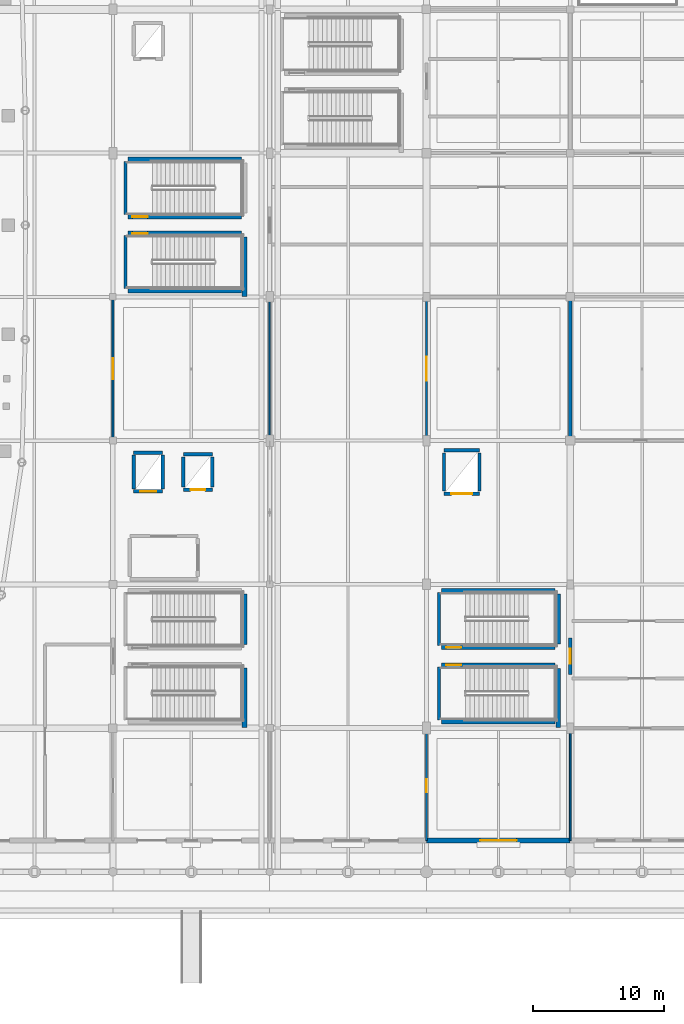
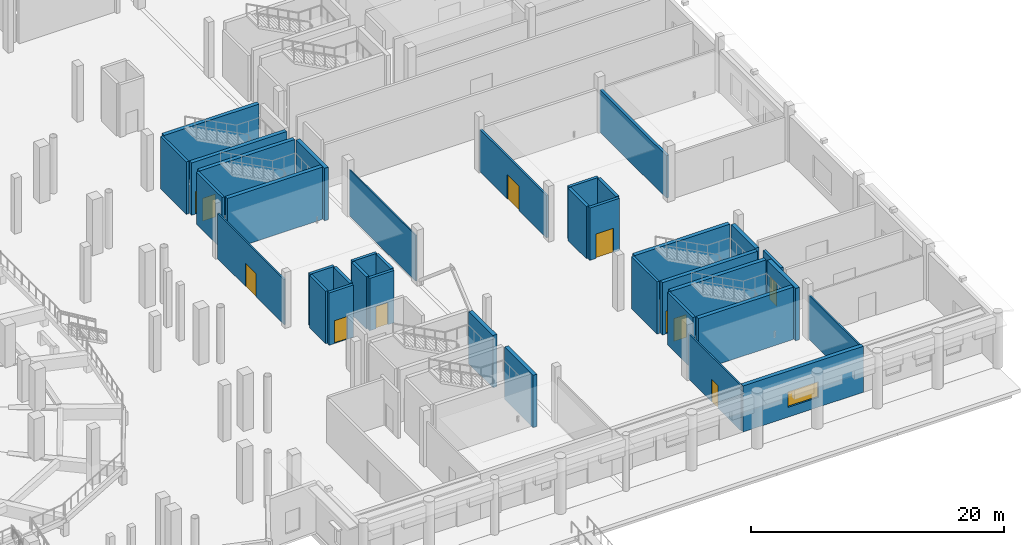
# One storey, part 64 of 120: 37 walls, 11 doors, 1 window, 12 openings.
"""IFC4 building model written with IfcOpenShell, lengths in metres."""

from ifc_helpers import new_model, si_unit, direction, frame, frame_2d, origin, place, context, subcontext, project, spatial, rectangle, extrude, material, layer, layer_set, type_object, element, fill, save


model = new_model("IFC4")

# Units and contexts
model_context = context("Model", 3, precision=1e-05, world=origin(), true_north=direction((0.0, 1.0)))
body_context = subcontext(model_context, "Body", "Model", "MODEL_VIEW")
ifc_project = project(units=[si_unit("LENGTHUNIT", "METRE"), si_unit("AREAUNIT", "SQUARE_METRE"), si_unit("VOLUMEUNIT", "CUBIC_METRE"), si_unit("PLANEANGLEUNIT", "RADIAN"), si_unit("MASSUNIT", "GRAM", prefix="KILO")], contexts=[model_context])

# Site, building, storey
site_placement = place(None, origin())
site = spatial("IfcSite", under=ifc_project, at=site_placement, CompositionType="ELEMENT")
building_placement = place(site_placement, origin())
building = spatial("IfcBuilding", under=site, at=building_placement, Name="Luwafu Chhajja Arena", CompositionType="ELEMENT")
storey_placement = place(building_placement, origin())
storey = spatial("IfcBuildingStorey", under=building, at=storey_placement, Name="L00", CompositionType="ELEMENT", Elevation=0.0)

# Wall
ifc_material_1 = material(Name="Concrete blockwork masonry", Category="masonry")
ifc_layer_1 = layer(ifc_material_1, 0.239990234375, Name="Concrete blockwork masonry")
ifc_layer_set_1 = layer_set([ifc_layer_1], Name="Concrete blockwork masonry")
wall_type_1 = type_object("IfcWallType", Name="Compartment Masonry Partition 240", PredefinedType="PARTITIONING", material=ifc_layer_set_1)
wall_1_placement = place(storey_placement, frame((187.0, 33.219970703125, 0.0), z_axis=(0.0, 0.0, 1.0), x_axis=(0.0, 1.0, 0.0)))
element("IfcWall", 1, at=wall_1_placement, inside=storey, type_object=wall_type_1, Name="L00 Internal Partition 0209", PredefinedType="PARTITIONING", context=body_context, shape_type="SweptSolid", body=[
    extrude(rectangle(XDim=10.56005859375, YDim=0.239990234375, at=frame_2d((5.280029296875, 0.0))), origin(), (0.0, 0.0, 1.0), 4.10009765625),
])

# Wall, opening, door
wall_2_placement = place(storey_placement, frame((187.0, 15.10009765625, 0.0), z_axis=(0.0, 0.0, 1.0), x_axis=(0.0, 1.0, 0.0)))
wall_2 = element("IfcWall", 2, at=wall_2_placement, inside=storey, type_object=wall_type_1, Name="L00 Protected Exit Corridor Mouth Wall WXP-M-C8", PredefinedType="PARTITIONING", context=body_context, shape_type="SweptSolid", body=[
    extrude(rectangle(XDim=2.7998046875, YDim=0.239990234375, at=frame_2d((1.39990234375, 0.0))), origin(), (0.0, 0.0, 1.0), 4.25),
])
opening_1_placement = place(wall_2_placement, frame((0.824951171875, 0.0, 0.0)))
opening_1 = element("IfcOpeningElement", 3, at=opening_1_placement, cuts=wall_2, Name="Opening DR-06", PredefinedType="OPENING", context=body_context, shape_type="SweptSolid", body=[
    extrude(rectangle(XDim=1.14990234375, YDim=2.199951171875, at=frame_2d((0.574951171875, 1.10009765625))), frame((0.0, 0.1298828125, 0.0), z_axis=(0.0, -1.0, 0.0), x_axis=(1.0, 0.0, 0.0)), (0.0, 0.0, 1.0), 0.260009765625),
])
ifc_material_2 = material(Name="Fire-rated hardwood and steel core", Category="steel")
door_type_1 = type_object("IfcDoorType", Name="DR-06", OperationType="NOTDEFINED", PredefinedType="DOOR", material=ifc_material_2)
door_1_placement = place(opening_1_placement, origin())
door_1 = element("IfcDoor", 4, at=door_1_placement, inside=storey, type_object=door_type_1, Name="L00 Protected Exit Corridor Fire Door L00-D079", OperationType="SINGLE_SWING_LEFT", OverallHeight=2.199951171875, OverallWidth=1.14990234375, PredefinedType="DOOR", context=body_context, shape_type="SweptSolid", body=[
    extrude(rectangle(XDim=1.14990234375, YDim=2.199951171875, at=frame_2d((0.574951171875, 1.10009765625))), frame((0.0, 0.02490234375, 0.0), z_axis=(0.0, -1.0, 0.0), x_axis=(1.0, 0.0, 0.0)), (0.0, 0.0, 1.0), 0.050048828125),
])
fill(opening_1, door_1)

ifc_material_3 = material(Name="Lightweight blockwork partition", Category="masonry")
ifc_layer_2 = layer(ifc_material_3, 0.139892578125, Name="Lightweight blockwork partition")
ifc_layer_set_2 = layer_set([ifc_layer_2], Name="Lightweight blockwork partition")
wall_type_2 = type_object("IfcWallType", Name="Concourse Kiosk Partition 140", PredefinedType="PARTITIONING", material=ifc_layer_set_2)
wall_3_placement = place(storey_placement, frame((152.0, 33.219970703125, 0.0), z_axis=(0.0, 0.0, 1.0), x_axis=(0.0, 1.0, 0.0)))
wall_3 = element("IfcWall", 5, at=wall_3_placement, inside=storey, type_object=wall_type_2, Name="L00 Internal Partition 0173", PredefinedType="PARTITIONING", context=body_context, shape_type="SweptSolid", body=[
    extrude(rectangle(XDim=10.570068359375, YDim=0.139892578125, at=frame_2d((5.28515625, 0.0))), origin(), (0.0, 0.0, 1.0), 4.366455078125),
])
opening_2_placement = place(wall_3_placement, frame((4.47509765625, 0.0, 0.0)))
opening_2 = element("IfcOpeningElement", 6, at=opening_2_placement, cuts=wall_3, Name="Opening DR-23", PredefinedType="OPENING", context=body_context, shape_type="SweptSolid", body=[
    extrude(rectangle(XDim=1.6201171875, YDim=2.25, at=frame_2d((0.81005859375, 1.125))), frame((0.0, 0.079833984375, 0.0), z_axis=(0.0, -1.0, 0.0), x_axis=(1.0, 0.0, 0.0)), (0.0, 0.0, 1.0), 0.159912109375),
])
ifc_material_4 = material(Name="Hardwood flush glazed double door", Category="wood")
door_type_2 = type_object("IfcDoorType", Name="DR-23", OperationType="DOUBLE_DOOR_SINGLE_SWING", PredefinedType="DOOR", material=ifc_material_4)
door_2_placement = place(opening_2_placement, origin())
door_2 = element("IfcDoor", 7, at=door_2_placement, inside=storey, type_object=door_type_2, Name="L00 Interior Door L00-D048", OperationType="DOUBLE_DOOR_SINGLE_SWING", OverallHeight=2.25, OverallWidth=1.6201171875, PredefinedType="DOOR", context=body_context, shape_type="SweptSolid", body=[
    extrude(rectangle(XDim=1.6201171875, YDim=2.25, at=frame_2d((0.81005859375, 1.125))), frame((0.0, 0.02490234375, 0.0), z_axis=(0.0, -1.0, 0.0), x_axis=(1.0, 0.0, 0.0)), (0.0, 0.0, 1.0), 0.050048828125),
])
fill(opening_2, door_2)

wall_4_placement = place(storey_placement, frame((176.0, 2.39990234375, 0.0), z_axis=(0.0, 0.0, 1.0), x_axis=(0.0, 1.0, 0.0)))
wall_4 = element("IfcWall", 8, at=wall_4_placement, inside=storey, type_object=wall_type_2, Name="L00 Internal Partition 0181", PredefinedType="PARTITIONING", context=body_context, shape_type="SweptSolid", body=[
    extrude(rectangle(XDim=8.380126953125, YDim=0.139892578125, at=frame_2d((4.18994140625, 0.0))), origin(), (0.0, 0.0, 1.0), 4.366455078125),
])
opening_3_placement = place(wall_4_placement, frame((3.7099609375, 0.0, 0.0)))
opening_3 = element("IfcOpeningElement", 9, at=opening_3_placement, cuts=wall_4, Name="Opening DR-22", PredefinedType="OPENING", context=body_context, shape_type="SweptSolid", body=[
    extrude(rectangle(XDim=0.9599609375, YDim=2.14990234375, at=frame_2d((0.47998046875, 1.074951171875))), frame((0.0, 0.079833984375, 0.0), z_axis=(0.0, -1.0, 0.0), x_axis=(1.0, 0.0, 0.0)), (0.0, 0.0, 1.0), 0.159912109375),
])
ifc_material_5 = material(Name="Hardwood flush office door", Category="wood")
door_type_3 = type_object("IfcDoorType", Name="DR-22", OperationType="NOTDEFINED", PredefinedType="DOOR", material=ifc_material_5)
door_3_placement = place(opening_3_placement, origin())
door_3 = element("IfcDoor", 10, at=door_3_placement, inside=storey, type_object=door_type_3, Name="L00 Interior Door L00-D052", OperationType="SINGLE_SWING_LEFT", OverallHeight=2.14990234375, OverallWidth=0.9599609375, PredefinedType="DOOR", context=body_context, shape_type="SweptSolid", body=[
    extrude(rectangle(XDim=0.9599609375, YDim=2.14990234375, at=frame_2d((0.47998046875, 1.074951171875))), frame((0.0, 0.02490234375, 0.0), z_axis=(0.0, -1.0, 0.0), x_axis=(1.0, 0.0, 0.0)), (0.0, 0.0, 1.0), 0.050048828125),
])
fill(opening_3, door_3)

# Wall
wall_5_placement = place(storey_placement, frame((187.0, 2.39990234375, 0.0), z_axis=(0.0, 0.0, 1.0), x_axis=(0.0, 1.0, 0.0)))
element("IfcWall", 11, at=wall_5_placement, inside=storey, type_object=wall_type_2, Name="L00 Internal Partition 0208", PredefinedType="PARTITIONING", context=body_context, shape_type="SweptSolid", body=[
    extrude(rectangle(XDim=8.380126953125, YDim=0.139892578125, at=frame_2d((4.18994140625, 0.0))), origin(), (0.0, 0.0, 1.0), 4.25),
])

# Wall, opening, door
ifc_layer_3 = layer(ifc_material_1, 0.179931640625, Name="Concrete blockwork masonry")
ifc_layer_set_3 = layer_set([ifc_layer_3], Name="Concrete blockwork masonry")
wall_type_3 = type_object("IfcWallType", Name="Hospitality Suite Partition 180", PredefinedType="PARTITIONING", material=ifc_layer_set_3)
wall_6_placement = place(storey_placement, frame((176.0, 33.219970703125, 0.0), z_axis=(0.0, 0.0, 1.0), x_axis=(0.0, 1.0, 0.0)))
wall_6 = element("IfcWall", 12, at=wall_6_placement, inside=storey, type_object=wall_type_3, Name="L00 Internal Partition 0182", PredefinedType="PARTITIONING", context=body_context, shape_type="SweptSolid", body=[
    extrude(rectangle(XDim=10.56005859375, YDim=0.179931640625, at=frame_2d((5.280029296875, 0.0))), origin(), (0.0, 0.0, 1.0), 4.10009765625),
])
opening_4_placement = place(wall_6_placement, frame((4.35498046875, 0.0, 0.0)))
opening_4 = element("IfcOpeningElement", 13, at=opening_4_placement, cuts=wall_6, Name="Opening DR-15", PredefinedType="OPENING", context=body_context, shape_type="SweptSolid", body=[
    extrude(rectangle(XDim=1.85009765625, YDim=2.35009765625, at=frame_2d((0.925048828125, 1.175048828125))), frame((0.0, 0.099853515625, 0.0), z_axis=(0.0, -1.0, 0.0), x_axis=(1.0, 0.0, 0.0)), (0.0, 0.0, 1.0), 0.199951171875),
])
ifc_material_6 = material(Name="Anodised bronze and acoustic glass", Category="glass")
door_type_4 = type_object("IfcDoorType", Name="DR-15", OperationType="DOUBLE_DOOR_SINGLE_SWING", PredefinedType="DOOR", material=ifc_material_6)
door_4_placement = place(opening_4_placement, origin())
door_4 = element("IfcDoor", 14, at=door_4_placement, inside=storey, type_object=door_type_4, Name="L00 Interior Door L00-D053", OperationType="DOUBLE_DOOR_SINGLE_SWING", OverallHeight=2.35009765625, OverallWidth=1.85009765625, PredefinedType="DOOR", context=body_context, shape_type="SweptSolid", body=[
    extrude(rectangle(XDim=1.85009765625, YDim=2.35009765625, at=frame_2d((0.925048828125, 1.175048828125))), frame((0.0, 0.02490234375, 0.0), z_axis=(0.0, -1.0, 0.0), x_axis=(1.0, 0.0, 0.0)), (0.0, 0.0, 1.0), 0.050048828125),
])
fill(opening_4, door_4)

# Wall
ifc_material_7 = material(Name="Acoustic metal-stud gypsum board")
ifc_layer_4 = layer(ifc_material_7, 0.1201171875, Name="Acoustic metal-stud gypsum board")
ifc_layer_set_4 = layer_set([ifc_layer_4], Name="Acoustic metal-stud gypsum board")
wall_type_4 = type_object("IfcWallType", Name="Internal Room Partition 120", PredefinedType="PARTITIONING", material=ifc_layer_set_4)
wall_7_placement = place(storey_placement, frame((164.0, 33.219970703125, 0.0), z_axis=(0.0, 0.0, 1.0), x_axis=(0.0, 1.0, 0.0)))
element("IfcWall", 15, at=wall_7_placement, inside=storey, type_object=wall_type_4, Name="L00 Internal Partition 0177", PredefinedType="PARTITIONING", context=body_context, shape_type="SweptSolid", body=[
    extrude(rectangle(XDim=10.56005859375, YDim=0.1201171875, at=frame_2d((5.280029296875, 0.0))), origin(), (0.0, 0.0, 1.0), 4.437744140625),
])

# Wall, opening, door
ifc_material_8 = material(Name="Concrete C35/45", Category="concrete")
ifc_layer_5 = layer(ifc_material_8, 0.260009765625, Name="Concrete C35/45")
ifc_layer_set_5 = layer_set([ifc_layer_5], Name="Concrete C35/45")
wall_type_5 = type_object("IfcWallType", Name="Lift and Riser Shaft Wall 260", PredefinedType="SOLIDWALL", material=ifc_layer_set_5)
wall_8_placement = place(storey_placement, frame((153.590087890625, 29.114990234375, 0.0), z_axis=(0.0, 0.0, 1.0), x_axis=(1.0, 0.0, 0.0)))
wall_8 = element("IfcWall", 16, at=wall_8_placement, inside=storey, type_object=wall_type_5, Name="L00 Lift LF-02 Shaft Wall S", PredefinedType="SOLIDWALL", context=body_context, shape_type="SweptSolid", body=[
    extrude(rectangle(XDim=2.219970703125, YDim=0.260009765625, at=frame_2d((1.10986328125, 0.0))), origin(), (0.0, 0.0, 1.0), 5.06005859375),
])
opening_5_placement = place(wall_8_placement, frame((0.510009765625, 0.0, 0.0)))
opening_5 = element("IfcOpeningElement", 17, at=opening_5_placement, cuts=wall_8, Name="Opening LD-02", PredefinedType="OPENING", context=body_context, shape_type="SweptSolid", body=[
    extrude(rectangle(XDim=1.199951171875, YDim=2.199951171875, at=frame_2d((0.60009765625, 1.10009765625))), frame((0.0, 0.139892578125, 0.0), z_axis=(0.0, -1.0, 0.0), x_axis=(1.0, 0.0, 0.0)), (0.0, 0.0, 1.0), 0.280029296875),
])
ifc_material_9 = material(Name="Brushed stainless steel sliding leaves", Category="steel")
door_type_5 = type_object("IfcDoorType", Name="LD-02", OperationType="SLIDING_TO_LEFT", PredefinedType="DOOR", material=ifc_material_9)
door_5_placement = place(opening_5_placement, origin())
door_5 = element("IfcDoor", 18, at=door_5_placement, inside=storey, type_object=door_type_5, Name="L00 Lift LF-02 Landing Door L00-LD03", OperationType="SLIDING_TO_LEFT", OverallHeight=2.199951171875, OverallWidth=1.199951171875, PredefinedType="DOOR", context=body_context, shape_type="SweptSolid", body=[
    extrude(rectangle(XDim=1.199951171875, YDim=2.199951171875, at=frame_2d((0.60009765625, 1.10009765625))), frame((0.0, 0.02490234375, 0.0), z_axis=(0.0, -1.0, 0.0), x_axis=(1.0, 0.0, 0.0)), (0.0, 0.0, 1.0), 0.050048828125),
])
fill(opening_5, door_5)

# Walls
wall_9_placement = place(storey_placement, frame((153.590087890625, 32.0849609375, 0.0), z_axis=(0.0, 0.0, 1.0), x_axis=(1.0, 0.0, 0.0)))
element("IfcWall", 19, at=wall_9_placement, inside=storey, type_object=wall_type_5, Name="L00 Lift LF-02 Shaft Wall N", PredefinedType="SOLIDWALL", context=body_context, shape_type="SweptSolid", body=[
    extrude(rectangle(XDim=2.219970703125, YDim=0.260009765625, at=frame_2d((1.10986328125, 0.0))), origin(), (0.0, 0.0, 1.0), 5.06005859375),
])
for number, where, z_axis, x_axis, name in (
    (20, (153.590087890625, 29.31494140625, 0.0), (0.0, 0.0, 1.0), (0.0, 1.0, 0.0), "L00 Lift LF-02 Shaft Wall W"),
    (21, (155.81005859375, 29.31494140625, 0.0), (0.0, 0.0, 1.0), (0.0, 1.0, 0.0), "L00 Lift LF-02 Shaft Wall E"),
):
    element("IfcWall", number, at=place(storey_placement, frame(where, z_axis=z_axis, x_axis=x_axis)), inside=storey, type_object=wall_type_5, Name=name, PredefinedType="SOLIDWALL", context=body_context, shape_type="SweptSolid", body=[
        extrude(rectangle(XDim=2.570068359375, YDim=0.260009765625, at=frame_2d((1.28515625, 0.0))), origin(), (0.0, 0.0, 1.0), 5.06005859375),
    ])

# Wall, opening, door
wall_10_placement = place(storey_placement, frame((157.389892578125, 29.239990234375, 0.0), z_axis=(0.0, 0.0, 1.0), x_axis=(1.0, 0.0, 0.0)))
wall_10 = element("IfcWall", 22, at=wall_10_placement, inside=storey, type_object=wall_type_5, Name="L00 Lift LF-06 Shaft Wall S", PredefinedType="SOLIDWALL", context=body_context, shape_type="SweptSolid", body=[
    extrude(rectangle(XDim=2.22021484375, YDim=0.260009765625, at=frame_2d((1.110107421875, 0.0))), origin(), (0.0, 0.0, 1.0), 5.06005859375),
])
opening_6_placement = place(wall_10_placement, frame((0.56005859375, 0.0, 0.0)))
opening_6 = element("IfcOpeningElement", 23, at=opening_6_placement, cuts=wall_10, Name="Opening LD-01", PredefinedType="OPENING", context=body_context, shape_type="SweptSolid", body=[
    extrude(rectangle(XDim=1.10009765625, YDim=2.14990234375, at=frame_2d((0.550048828125, 1.074951171875))), frame((0.0, 0.139892578125, 0.0), z_axis=(0.0, -1.0, 0.0), x_axis=(1.0, 0.0, 0.0)), (0.0, 0.0, 1.0), 0.280029296875),
])
door_type_6 = type_object("IfcDoorType", Name="LD-01", OperationType="SLIDING_TO_LEFT", PredefinedType="DOOR", material=ifc_material_9)
door_6_placement = place(opening_6_placement, origin())
door_6 = element("IfcDoor", 24, at=door_6_placement, inside=storey, type_object=door_type_6, Name="L00 Lift LF-06 Landing Door L00-LD04", OperationType="SLIDING_TO_LEFT", OverallHeight=2.14990234375, OverallWidth=1.10009765625, PredefinedType="DOOR", context=body_context, shape_type="SweptSolid", body=[
    extrude(rectangle(XDim=1.10009765625, YDim=2.14990234375, at=frame_2d((0.550048828125, 1.074951171875))), frame((0.0, 0.02490234375, 0.0), z_axis=(0.0, -1.0, 0.0), x_axis=(1.0, 0.0, 0.0)), (0.0, 0.0, 1.0), 0.050048828125),
])
fill(opening_6, door_6)

# Walls
wall_11_placement = place(storey_placement, frame((157.389892578125, 31.9599609375, 0.0), z_axis=(0.0, 0.0, 1.0), x_axis=(1.0, 0.0, 0.0)))
element("IfcWall", 25, at=wall_11_placement, inside=storey, type_object=wall_type_5, Name="L00 Lift LF-06 Shaft Wall N", PredefinedType="SOLIDWALL", context=body_context, shape_type="SweptSolid", body=[
    extrude(rectangle(XDim=2.22021484375, YDim=0.260009765625, at=frame_2d((1.110107421875, 0.0))), origin(), (0.0, 0.0, 1.0), 5.06005859375),
])
for number, where, z_axis, x_axis, name in (
    (26, (157.389892578125, 29.43994140625, 0.0), (0.0, 0.0, 1.0), (0.0, 1.0, 0.0), "L00 Lift LF-06 Shaft Wall W"),
    (27, (159.610107421875, 29.43994140625, 0.0), (0.0, 0.0, 1.0), (0.0, 1.0, 0.0), "L00 Lift LF-06 Shaft Wall E"),
):
    element("IfcWall", number, at=place(storey_placement, frame(where, z_axis=z_axis, x_axis=x_axis)), inside=storey, type_object=wall_type_5, Name=name, PredefinedType="SOLIDWALL", context=body_context, shape_type="SweptSolid", body=[
        extrude(rectangle(XDim=2.320068359375, YDim=0.260009765625, at=frame_2d((1.16015625, 0.0))), origin(), (0.0, 0.0, 1.0), 5.06005859375),
    ])

# Wall, opening, door
wall_12_placement = place(storey_placement, frame((177.340087890625, 28.93994140625, 0.0), z_axis=(0.0, 0.0, 1.0), x_axis=(1.0, 0.0, 0.0)))
wall_12 = element("IfcWall", 28, at=wall_12_placement, inside=storey, type_object=wall_type_5, Name="L00 Lift LF-12 Shaft Wall S", PredefinedType="SOLIDWALL", context=body_context, shape_type="SweptSolid", body=[
    extrude(rectangle(XDim=2.719970703125, YDim=0.260009765625, at=frame_2d((1.35986328125, 0.0))), origin(), (0.0, 0.0, 1.0), 5.06005859375),
])
opening_7_placement = place(wall_12_placement, frame((0.56005859375, 0.0, 0.0)))
opening_7 = element("IfcOpeningElement", 29, at=opening_7_placement, cuts=wall_12, Name="Opening LD-03", PredefinedType="OPENING", context=body_context, shape_type="SweptSolid", body=[
    extrude(rectangle(XDim=1.60009765625, YDim=2.35009765625, at=frame_2d((0.800048828125, 1.175048828125))), frame((0.0, 0.139892578125, 0.0), z_axis=(0.0, -1.0, 0.0), x_axis=(1.0, 0.0, 0.0)), (0.0, 0.0, 1.0), 0.280029296875),
])
door_type_7 = type_object("IfcDoorType", Name="LD-03", OperationType="DOUBLE_DOOR_SLIDING", PredefinedType="DOOR", material=ifc_material_9)
door_7_placement = place(opening_7_placement, origin())
door_7 = element("IfcDoor", 30, at=door_7_placement, inside=storey, type_object=door_type_7, Name="L00 Lift LF-12 Landing Door L00-LD12", OperationType="DOUBLE_DOOR_SLIDING", OverallHeight=2.35009765625, OverallWidth=1.60009765625, PredefinedType="DOOR", context=body_context, shape_type="SweptSolid", body=[
    extrude(rectangle(XDim=1.60009765625, YDim=2.35009765625, at=frame_2d((0.800048828125, 1.175048828125))), frame((0.0, 0.02490234375, 0.0), z_axis=(0.0, -1.0, 0.0), x_axis=(1.0, 0.0, 0.0)), (0.0, 0.0, 1.0), 0.050048828125),
])
fill(opening_7, door_7)

# Walls
wall_13_placement = place(storey_placement, frame((177.340087890625, 32.260009765625, 0.0), z_axis=(0.0, 0.0, 1.0), x_axis=(1.0, 0.0, 0.0)))
element("IfcWall", 31, at=wall_13_placement, inside=storey, type_object=wall_type_5, Name="L00 Lift LF-12 Shaft Wall N", PredefinedType="SOLIDWALL", context=body_context, shape_type="SweptSolid", body=[
    extrude(rectangle(XDim=2.719970703125, YDim=0.260009765625, at=frame_2d((1.35986328125, 0.0))), origin(), (0.0, 0.0, 1.0), 5.06005859375),
])
for number, where, z_axis, x_axis, name in (
    (32, (177.340087890625, 29.139892578125, 0.0), (0.0, 0.0, 1.0), (0.0, 1.0, 0.0), "L00 Lift LF-12 Shaft Wall W"),
    (33, (180.06005859375, 29.139892578125, 0.0), (0.0, 0.0, 1.0), (0.0, 1.0, 0.0), "L00 Lift LF-12 Shaft Wall E"),
):
    element("IfcWall", number, at=place(storey_placement, frame(where, z_axis=z_axis, x_axis=x_axis)), inside=storey, type_object=wall_type_5, Name=name, PredefinedType="SOLIDWALL", context=body_context, shape_type="SweptSolid", body=[
        extrude(rectangle(XDim=2.920166015625, YDim=0.260009765625, at=frame_2d((1.4599609375, 0.0))), origin(), (0.0, 0.0, 1.0), 5.06005859375),
    ])
ifc_material_10 = material(Name="Concrete C40/50", Category="concrete")
ifc_layer_6 = layer(ifc_material_10, 0.35009765625, Name="Concrete C40/50")
ifc_layer_set_6 = layer_set([ifc_layer_6], Name="Concrete C40/50")
wall_type_6 = type_object("IfcWallType", Name="RC Core Shear Wall 350", PredefinedType="SOLIDWALL", material=ifc_layer_set_6)
wall_14_placement = place(storey_placement, frame((162.072021484375, 11.050048828125, 0.0), z_axis=(0.0, 0.0, 1.0), x_axis=(0.0, 1.0, 0.0)))
element("IfcWall", 34, at=wall_14_placement, inside=storey, type_object=wall_type_6, Name="L00 Stair ST-03 Core Shear Wall E", PredefinedType="SOLIDWALL", context=body_context, shape_type="SweptSolid", body=[
    extrude(rectangle(XDim=4.5400390625, YDim=0.35009765625, at=frame_2d((2.27001953125, 0.0))), origin(), (0.0, 0.0, 1.0), 5.06005859375),
])
wall_15_placement = place(storey_placement, frame((162.072021484375, 17.409912109375, 0.0), z_axis=(0.0, 0.0, 1.0), x_axis=(0.0, 1.0, 0.0)))
element("IfcWall", 35, at=wall_15_placement, inside=storey, type_object=wall_type_6, Name="L00 Stair ST-04 Core Shear Wall E", PredefinedType="SOLIDWALL", context=body_context, shape_type="SweptSolid", body=[
    extrude(rectangle(XDim=3.840087890625, YDim=0.35009765625, at=frame_2d((1.919921875, 0.0))), origin(), (0.0, 0.0, 1.0), 5.06005859375),
])
wall_16_placement = place(storey_placement, frame((162.072021484375, 44.050048828125, 0.0), z_axis=(0.0, 0.0, 1.0), x_axis=(0.0, 1.0, 0.0)))
element("IfcWall", 36, at=wall_16_placement, inside=storey, type_object=wall_type_6, Name="L00 Stair ST-11 Core Shear Wall E", PredefinedType="SOLIDWALL", context=body_context, shape_type="SweptSolid", body=[
    extrude(rectangle(XDim=4.5400390625, YDim=0.35009765625, at=frame_2d((2.27001953125, 0.0))), origin(), (0.0, 0.0, 1.0), 5.06005859375),
])
wall_17_placement = place(storey_placement, frame((153.14990234375, 44.47802734375, 0.0), z_axis=(0.0, 0.0, 1.0), x_axis=(1.0, 0.0, 0.0)))
element("IfcWall", 37, at=wall_17_placement, inside=storey, type_object=wall_type_6, Name="L00 Stair ST-11 Core Shear Wall S", PredefinedType="SOLIDWALL", context=body_context, shape_type="SweptSolid", body=[
    extrude(rectangle(XDim=8.7001953125, YDim=0.35009765625, at=frame_2d((4.35009765625, 0.0))), origin(), (0.0, 0.0, 1.0), 5.06005859375),
])

# Wall, opening, door
wall_18_placement = place(storey_placement, frame((153.14990234375, 48.862060546875, 0.0), z_axis=(0.0, 0.0, 1.0), x_axis=(1.0, 0.0, 0.0)))
wall_18 = element("IfcWall", 38, at=wall_18_placement, inside=storey, type_object=wall_type_6, Name="L00 Stair ST-11 Core Shear Wall N", PredefinedType="SOLIDWALL", context=body_context, shape_type="SweptSolid", body=[
    extrude(rectangle(XDim=8.7001953125, YDim=0.35009765625, at=frame_2d((4.35009765625, 0.0))), origin(), (0.0, 0.0, 1.0), 5.06005859375),
])
opening_8_placement = place(wall_18_placement, frame((0.35009765625, 0.0, 0.0)))
opening_8 = element("IfcOpeningElement", 39, at=opening_8_placement, cuts=wall_18, Name="Opening DR-06", PredefinedType="OPENING", context=body_context, shape_type="SweptSolid", body=[
    extrude(rectangle(XDim=1.14990234375, YDim=2.199951171875, at=frame_2d((0.574951171875, 1.10009765625))), frame((0.0, 0.18505859375, 0.0), z_axis=(0.0, -1.0, 0.0), x_axis=(1.0, 0.0, 0.0)), (0.0, 0.0, 1.0), 0.3701171875),
])
door_8_placement = place(opening_8_placement, origin())
door_8 = element("IfcDoor", 40, at=door_8_placement, inside=storey, type_object=door_type_1, Name="L00 Escape Stair ST-11 Fire Door L00-D019", OperationType="SINGLE_SWING_RIGHT", OverallHeight=2.199951171875, OverallWidth=1.14990234375, PredefinedType="DOOR", context=body_context, shape_type="SweptSolid", body=[
    extrude(rectangle(XDim=1.14990234375, YDim=2.199951171875, at=frame_2d((0.574951171875, 1.10009765625))), frame((0.0, 0.02490234375, 0.0), z_axis=(0.0, -1.0, 0.0), x_axis=(1.0, 0.0, 0.0)), (0.0, 0.0, 1.0), 0.050048828125),
])
fill(opening_8, door_8)

wall_19_placement = place(storey_placement, frame((153.14990234375, 50.137939453125, 0.0), z_axis=(0.0, 0.0, 1.0), x_axis=(1.0, 0.0, 0.0)))
wall_19 = element("IfcWall", 41, at=wall_19_placement, inside=storey, type_object=wall_type_6, Name="L00 Stair ST-12 Core Shear Wall S", PredefinedType="SOLIDWALL", context=body_context, shape_type="SweptSolid", body=[
    extrude(rectangle(XDim=8.7001953125, YDim=0.35009765625, at=frame_2d((4.35009765625, 0.0))), origin(), (0.0, 0.0, 1.0), 5.06005859375),
])
opening_9_placement = place(wall_19_placement, frame((0.35009765625, 0.0, 0.0)))
opening_9 = element("IfcOpeningElement", 42, at=opening_9_placement, cuts=wall_19, Name="Opening DR-06", PredefinedType="OPENING", context=body_context, shape_type="SweptSolid", body=[
    extrude(rectangle(XDim=1.14990234375, YDim=2.199951171875, at=frame_2d((0.574951171875, 1.10009765625))), frame((0.0, 0.18505859375, 0.0), z_axis=(0.0, -1.0, 0.0), x_axis=(1.0, 0.0, 0.0)), (0.0, 0.0, 1.0), 0.3701171875),
])
door_9_placement = place(opening_9_placement, origin())
door_9 = element("IfcDoor", 43, at=door_9_placement, inside=storey, type_object=door_type_1, Name="L00 Escape Stair ST-12 Fire Door L00-D020", OperationType="SINGLE_SWING_LEFT", OverallHeight=2.199951171875, OverallWidth=1.14990234375, PredefinedType="DOOR", context=body_context, shape_type="SweptSolid", body=[
    extrude(rectangle(XDim=1.14990234375, YDim=2.199951171875, at=frame_2d((0.574951171875, 1.10009765625))), frame((0.0, 0.02490234375, 0.0), z_axis=(0.0, -1.0, 0.0), x_axis=(1.0, 0.0, 0.0)), (0.0, 0.0, 1.0), 0.050048828125),
])
fill(opening_9, door_9)

# Walls
wall_20_placement = place(storey_placement, frame((153.14990234375, 54.52197265625, 0.0), z_axis=(0.0, 0.0, 1.0), x_axis=(1.0, 0.0, 0.0)))
element("IfcWall", 44, at=wall_20_placement, inside=storey, type_object=wall_type_6, Name="L00 Stair ST-12 Core Shear Wall N", PredefinedType="SOLIDWALL", context=body_context, shape_type="SweptSolid", body=[
    extrude(rectangle(XDim=8.7001953125, YDim=0.35009765625, at=frame_2d((4.35009765625, 0.0))), origin(), (0.0, 0.0, 1.0), 5.06005859375),
])
wall_21_placement = place(storey_placement, frame((186.072021484375, 11.050048828125, 0.0), z_axis=(0.0, 0.0, 1.0), x_axis=(0.0, 1.0, 0.0)))
element("IfcWall", 45, at=wall_21_placement, inside=storey, type_object=wall_type_6, Name="L00 Stair ST-15 Core Shear Wall E", PredefinedType="SOLIDWALL", context=body_context, shape_type="SweptSolid", body=[
    extrude(rectangle(XDim=4.5, YDim=0.35009765625, at=frame_2d((2.25, 0.0))), origin(), (0.0, 0.0, 1.0), 5.06005859375),
])
wall_22_placement = place(storey_placement, frame((177.14990234375, 11.47802734375, 0.0), z_axis=(0.0, 0.0, 1.0), x_axis=(1.0, 0.0, 0.0)))
element("IfcWall", 46, at=wall_22_placement, inside=storey, type_object=wall_type_6, Name="L00 Stair ST-15 Core Shear Wall S", PredefinedType="SOLIDWALL", context=body_context, shape_type="SweptSolid", body=[
    extrude(rectangle(XDim=8.7001953125, YDim=0.35009765625, at=frame_2d((4.35009765625, 0.0))), origin(), (0.0, 0.0, 1.0), 5.06005859375),
])

# Wall, opening, door
wall_23_placement = place(storey_placement, frame((177.14990234375, 15.822021484375, 0.0), z_axis=(0.0, 0.0, 1.0), x_axis=(1.0, 0.0, 0.0)))
wall_23 = element("IfcWall", 47, at=wall_23_placement, inside=storey, type_object=wall_type_6, Name="L00 Stair ST-15 Core Shear Wall N", PredefinedType="SOLIDWALL", context=body_context, shape_type="SweptSolid", body=[
    extrude(rectangle(XDim=8.7001953125, YDim=0.35009765625, at=frame_2d((4.35009765625, 0.0))), origin(), (0.0, 0.0, 1.0), 5.06005859375),
])
opening_10_placement = place(wall_23_placement, frame((0.35009765625, 0.0, 0.0)))
opening_10 = element("IfcOpeningElement", 48, at=opening_10_placement, cuts=wall_23, Name="Opening DR-06", PredefinedType="OPENING", context=body_context, shape_type="SweptSolid", body=[
    extrude(rectangle(XDim=1.14990234375, YDim=2.199951171875, at=frame_2d((0.574951171875, 1.10009765625))), frame((0.0, 0.18505859375, 0.0), z_axis=(0.0, -1.0, 0.0), x_axis=(1.0, 0.0, 0.0)), (0.0, 0.0, 1.0), 0.3701171875),
])
door_10_placement = place(opening_10_placement, origin())
door_10 = element("IfcDoor", 49, at=door_10_placement, inside=storey, type_object=door_type_1, Name="L00 Escape Stair ST-15 Fire Door L00-D023", OperationType="SINGLE_SWING_RIGHT", OverallHeight=2.199951171875, OverallWidth=1.14990234375, PredefinedType="DOOR", context=body_context, shape_type="SweptSolid", body=[
    extrude(rectangle(XDim=1.14990234375, YDim=2.199951171875, at=frame_2d((0.574951171875, 1.10009765625))), frame((0.0, 0.02490234375, 0.0), z_axis=(0.0, -1.0, 0.0), x_axis=(1.0, 0.0, 0.0)), (0.0, 0.0, 1.0), 0.050048828125),
])
fill(opening_10, door_10)

# Wall
wall_24_placement = place(storey_placement, frame((186.072021484375, 17.449951171875, 0.0), z_axis=(0.0, 0.0, 1.0), x_axis=(0.0, 1.0, 0.0)))
element("IfcWall", 50, at=wall_24_placement, inside=storey, type_object=wall_type_6, Name="L00 Stair ST-16 Core Shear Wall E", PredefinedType="SOLIDWALL", context=body_context, shape_type="SweptSolid", body=[
    extrude(rectangle(XDim=3.800048828125, YDim=0.35009765625, at=frame_2d((1.89990234375, 0.0))), origin(), (0.0, 0.0, 1.0), 5.06005859375),
])

# Wall, opening, door
wall_25_placement = place(storey_placement, frame((177.14990234375, 17.177978515625, 0.0), z_axis=(0.0, 0.0, 1.0), x_axis=(1.0, 0.0, 0.0)))
wall_25 = element("IfcWall", 51, at=wall_25_placement, inside=storey, type_object=wall_type_6, Name="L00 Stair ST-16 Core Shear Wall S", PredefinedType="SOLIDWALL", context=body_context, shape_type="SweptSolid", body=[
    extrude(rectangle(XDim=8.7001953125, YDim=0.35009765625, at=frame_2d((4.35009765625, 0.0))), origin(), (0.0, 0.0, 1.0), 5.06005859375),
])
opening_11_placement = place(wall_25_placement, frame((0.35009765625, 0.0, 0.0)))
opening_11 = element("IfcOpeningElement", 52, at=opening_11_placement, cuts=wall_25, Name="Opening DR-06", PredefinedType="OPENING", context=body_context, shape_type="SweptSolid", body=[
    extrude(rectangle(XDim=1.14990234375, YDim=2.199951171875, at=frame_2d((0.574951171875, 1.10009765625))), frame((0.0, 0.18505859375, 0.0), z_axis=(0.0, -1.0, 0.0), x_axis=(1.0, 0.0, 0.0)), (0.0, 0.0, 1.0), 0.3701171875),
])
door_11_placement = place(opening_11_placement, origin())
door_11 = element("IfcDoor", 53, at=door_11_placement, inside=storey, type_object=door_type_1, Name="L00 Escape Stair ST-16 Fire Door L00-D024", OperationType="SINGLE_SWING_LEFT", OverallHeight=2.199951171875, OverallWidth=1.14990234375, PredefinedType="DOOR", context=body_context, shape_type="SweptSolid", body=[
    extrude(rectangle(XDim=1.14990234375, YDim=2.199951171875, at=frame_2d((0.574951171875, 1.10009765625))), frame((0.0, 0.02490234375, 0.0), z_axis=(0.0, -1.0, 0.0), x_axis=(1.0, 0.0, 0.0)), (0.0, 0.0, 1.0), 0.050048828125),
])
fill(opening_11, door_11)

# Wall
wall_26_placement = place(storey_placement, frame((177.14990234375, 21.52197265625, 0.0), z_axis=(0.0, 0.0, 1.0), x_axis=(1.0, 0.0, 0.0)))
element("IfcWall", 54, at=wall_26_placement, inside=storey, type_object=wall_type_6, Name="L00 Stair ST-16 Core Shear Wall N", PredefinedType="SOLIDWALL", context=body_context, shape_type="SweptSolid", body=[
    extrude(rectangle(XDim=8.7001953125, YDim=0.35009765625, at=frame_2d((4.35009765625, 0.0))), origin(), (0.0, 0.0, 1.0), 5.06005859375),
])

# Wall, opening, window
ifc_layer_7 = layer(ifc_material_8, 0.360107421875, Name="Concrete C35/45")
ifc_layer_set_7 = layer_set([ifc_layer_7], Name="Concrete C35/45")
wall_type_7 = type_object("IfcWallType", Name="Sandstone Backed Exterior Wall 360", PredefinedType="SOLIDWALL", material=ifc_layer_set_7)
wall_27_placement = place(storey_placement, frame((176.0, 2.39990234375, 0.0), z_axis=(0.0, 0.0, 1.0), x_axis=(1.0, 0.0, 0.0)))
wall_27 = element("IfcWall", 55, at=wall_27_placement, inside=storey, type_object=wall_type_7, Name="L00 Exterior Wall WEX-L00-089", PredefinedType="SOLIDWALL", context=body_context, shape_type="SweptSolid", body=[
    extrude(rectangle(XDim=11.0, YDim=0.360107421875, at=frame_2d((5.5, 0.0))), origin(), (0.0, 0.0, 1.0), 4.449951171875),
])
opening_12_placement = place(wall_27_placement, frame((4.10009765625, 0.0, 0.949951171875)))
opening_12 = element("IfcOpeningElement", 56, at=opening_12_placement, cuts=wall_27, Name="Opening WN-12", PredefinedType="OPENING", context=body_context, shape_type="SweptSolid", body=[
    extrude(rectangle(XDim=2.800048828125, YDim=1.5, at=frame_2d((1.39990234375, 0.75))), frame((0.0, 0.18994140625, 0.0), z_axis=(0.0, -1.0, 0.0), x_axis=(1.0, 0.0, 0.0)), (0.0, 0.0, 1.0), 0.380126953125),
])
ifc_material_11 = material(Name="Solar-control laminated glass", Category="glass")
window_type = type_object("IfcWindowType", Name="Media Press Room Ribbon Window 2800x1500", PartitioningType="SINGLE_PANEL", PredefinedType="WINDOW", material=ifc_material_11)
window_placement = place(opening_12_placement, origin())
window = element("IfcWindow", 57, at=window_placement, inside=storey, type_object=window_type, Name="L00 Facade Window 285", OverallHeight=1.5, OverallWidth=2.800048828125, PartitioningType="SINGLE_PANEL", PredefinedType="WINDOW", context=body_context, shape_type="SweptSolid", body=[
    extrude(rectangle(XDim=2.800048828125, YDim=1.5, at=frame_2d((1.39990234375, 0.75))), frame((0.0, 0.030029296875, 0.0), z_axis=(0.0, -1.0, 0.0), x_axis=(1.0, 0.0, 0.0)), (0.0, 0.0, 1.0), 0.06005859375),
])
fill(opening_12, window)

# Walls
ifc_layer_8 = layer(ifc_material_8, 0.22998046875, Name="Concrete C35/45")
ifc_layer_set_8 = layer_set([ifc_layer_8], Name="Concrete C35/45")
wall_type_8 = type_object("IfcWallType", Name="Stair Enclosure Wall 230", PredefinedType="SOLIDWALL", material=ifc_layer_set_8)
for number, where, z_axis, x_axis, name in (
    (58, (152.9599609375, 44.6298828125, 0.0), (0.0, 0.0, 1.0), (0.0, 1.0, 0.0), "L00 Stair ST-11 Enclosure Wall W"),
    (59, (152.9599609375, 50.2900390625, 0.0), (0.0, 0.0, 1.0), (0.0, 1.0, 0.0), "L00 Stair ST-12 Enclosure Wall W"),
):
    element("IfcWall", number, at=place(storey_placement, frame(where, z_axis=z_axis, x_axis=x_axis)), inside=storey, type_object=wall_type_8, Name=name, PredefinedType="SOLIDWALL", context=body_context, shape_type="SweptSolid", body=[
        extrude(rectangle(XDim=4.080078125, YDim=0.22998046875, at=frame_2d((2.0400390625, 0.0))), origin(), (0.0, 0.0, 1.0), 5.06005859375),
    ])
for number, where, z_axis, x_axis, name in (
    (60, (176.9599609375, 11.6298828125, 0.0), (0.0, 0.0, 1.0), (0.0, 1.0, 0.0), "L00 Stair ST-15 Enclosure Wall W"),
    (61, (176.9599609375, 17.330078125, 0.0), (0.0, 0.0, 1.0), (0.0, 1.0, 0.0), "L00 Stair ST-16 Enclosure Wall W"),
):
    element("IfcWall", number, at=place(storey_placement, frame(where, z_axis=z_axis, x_axis=x_axis)), inside=storey, type_object=wall_type_8, Name=name, PredefinedType="SOLIDWALL", context=body_context, shape_type="SweptSolid", body=[
        extrude(rectangle(XDim=4.0400390625, YDim=0.22998046875, at=frame_2d((2.02001953125, 0.0))), origin(), (0.0, 0.0, 1.0), 5.06005859375),
    ])

save(model, "model.ifc")
